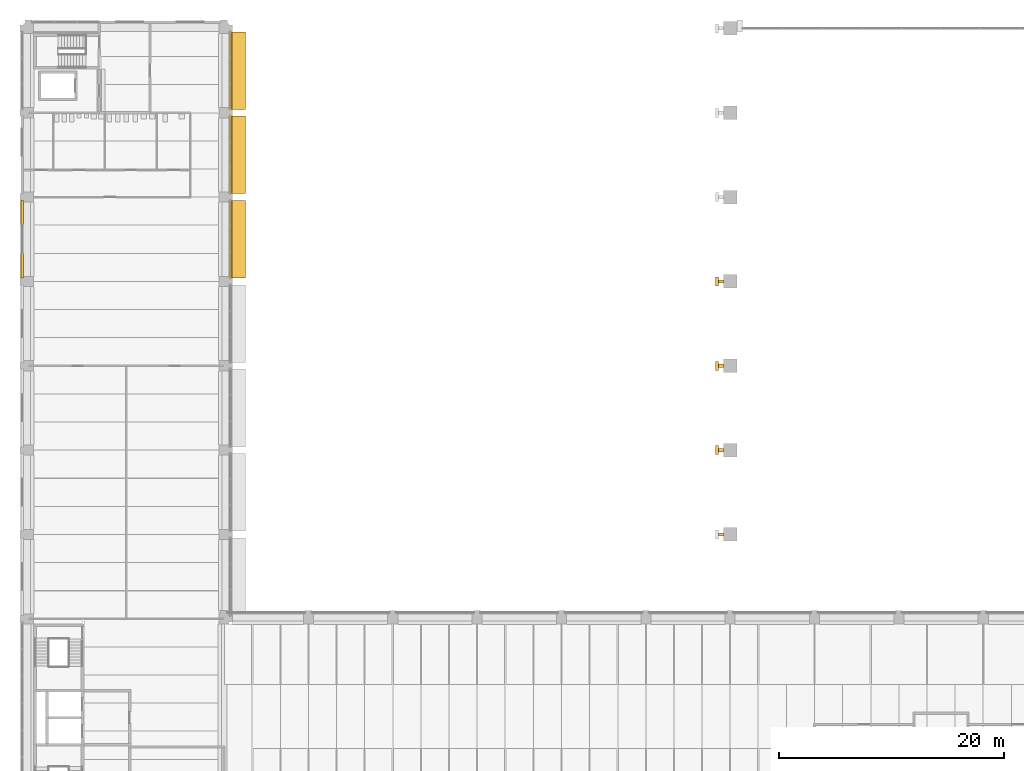
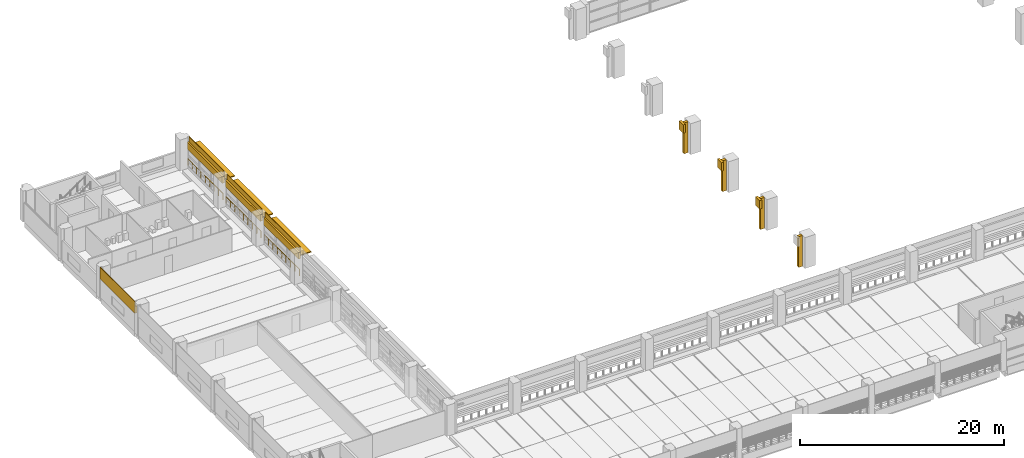
# One storey, part 44 of 57: 11 coverings, 3 railings, 3 shading devices.
"""IFC4 building model written with IfcOpenShell, lengths in metres."""

import ifcopenshell
import ifcopenshell.guid

model = None  # the IFC model being written
_history = None  # IfcOwnerHistory: only IFC2X3 demands one
_inside = {}  # id of a spatial element -> (the spatial element, [elements in it])
_under = {}  # id of a project, library or spatial element -> (it, [spatial elements below it])
_declared = {}  # id of a project -> (the project, [libraries it declares])
_typed = {}  # id of a type object -> (the type object, [elements of that type])
_made_of = {}  # id of a material, layer set ... -> (it, [elements and type objects made of it])


def new_model(schema):
    """Start an empty IFC model of exactly this schema.

    Asked for "IFC4X3", IfcOpenShell would pick the latest addendum, in which some entities
    have other attributes; the version numbers below select the first issue.
    IFC2X3 requires an IfcOwnerHistory on every rooted entity: one is made here for all.
    """
    global model, _history
    if schema == "IFC4X3":
        model = ifcopenshell.file(schema_version=(4, 3, 0, 0))
    else:
        model = ifcopenshell.file(schema=schema)
    _inside.clear()
    _under.clear()
    _declared.clear()
    _typed.clear()
    _made_of.clear()
    _history = None
    if model.schema == "IFC2X3":
        org = make("IfcOrganization", Name="unknown")
        user = make(
            "IfcPersonAndOrganization",
            ThePerson=make("IfcPerson", FamilyName="unknown"),
            TheOrganization=org,
        )
        app = make(
            "IfcApplication",
            ApplicationDeveloper=org,
            Version="unknown",
            ApplicationFullName="unknown",
            ApplicationIdentifier="unknown",
        )
        _history = make(
            "IfcOwnerHistory",
            OwningUser=user,
            OwningApplication=app,
            ChangeAction="ADDED",
            CreationDate=0,
        )
    return model


def make(cls, **values):
    """One entity of the class cls with the attributes given. An attribute that is None is left unset."""
    return model.create_entity(
        cls, **{name: value for name, value in values.items() if value is not None}
    )


def rooted(cls, **values):
    """An entity with a GlobalId (a new one), such as an element, a storey or a relation."""
    return make(cls, GlobalId=ifcopenshell.guid.new(), OwnerHistory=_history, **values)


def si_unit(unit_type, name, prefix=None):
    """IfcSIUnit, for example si_unit("LENGTHUNIT", "METRE", prefix="MILLI")."""
    return make("IfcSIUnit", UnitType=unit_type, Prefix=prefix, Name=name)


def assignment(units):
    """IfcUnitAssignment: the units of a project."""
    return None if units is None else make("IfcUnitAssignment", Units=units)


def point(xyz):
    """IfcCartesianPoint."""
    return None if xyz is None else make("IfcCartesianPoint", Coordinates=xyz)


def direction(xyz):
    """IfcDirection."""
    return None if xyz is None else make("IfcDirection", DirectionRatios=xyz)


def frame(location, z_axis=None, x_axis=None):
    """IfcAxis2Placement3D, a coordinate frame: its origin and axes. An axis left out is left unset."""
    return make(
        "IfcAxis2Placement3D",
        Location=point(location),
        Axis=direction(z_axis),
        RefDirection=direction(x_axis),
    )


def frame_2d(location, x_axis=None):
    """IfcAxis2Placement2D, a coordinate frame in the plane: its origin and x axis."""
    return make(
        "IfcAxis2Placement2D", Location=point(location), RefDirection=direction(x_axis)
    )


def origin():
    """The frame at (0, 0, 0) with its axes left unset."""
    return frame((0.0, 0.0, 0.0))


def origin_2d():
    """The frame at (0, 0) in the plane with its x axis left unset."""
    return frame_2d((0.0, 0.0))


def place(relative_to, where):
    """IfcLocalPlacement: puts the frame where relative to a parent placement (None: the world)."""
    return make(
        "IfcLocalPlacement", PlacementRelTo=relative_to, RelativePlacement=where
    )


def context(
    kind, dimensions, precision=None, world=None, true_north=None, identifier=None
):
    """IfcGeometricRepresentationContext, for example the 3D "Model" context."""
    return make(
        "IfcGeometricRepresentationContext",
        ContextIdentifier=identifier,
        ContextType=kind,
        CoordinateSpaceDimension=dimensions,
        Precision=precision,
        WorldCoordinateSystem=world,
        TrueNorth=true_north,
    )


def subcontext(parent, identifier, kind, view, scale=None):
    """IfcGeometricRepresentationSubContext, for example "Body" below "Model"."""
    return make(
        "IfcGeometricRepresentationSubContext",
        ContextIdentifier=identifier,
        ContextType=kind,
        ParentContext=parent,
        TargetScale=scale,
        TargetView=view,
    )


def project(units=None, contexts=None):
    """IfcProject with its units and contexts."""
    return rooted(
        "IfcProject",
        Name="project",
        RepresentationContexts=contexts,
        UnitsInContext=assignment(units),
    )


def spatial(cls, under=None, at=None, **own):
    """A site, building, storey or space (cls), placed at a placement, below another one or the project."""
    s = rooted(cls, ObjectPlacement=at, **own)
    if under is not None:
        _under.setdefault(under.id(), (under, []))[1].append(s)
    return s


def polyline(points):
    """IfcPolyline through the points."""
    return make("IfcPolyline", Points=[point(p) for p in points])


def profile(cls, at=None, kind="AREA", **sizes):
    """A parametric profile (cls). Its sizes go by their IFC names, for example OverallWidth=200.0."""
    return make(cls, ProfileType=kind, Position=at, **sizes)


def circle(**sizes):
    """IfcCircleProfileDef."""
    return profile("IfcCircleProfileDef", **sizes)


def outline(outer, holes=None, kind="AREA"):
    """IfcArbitraryClosedProfileDef: a profile drawn as a closed curve; with holes, ...WithVoids."""
    if holes is None:
        return make("IfcArbitraryClosedProfileDef", ProfileType=kind, OuterCurve=outer)
    return make(
        "IfcArbitraryProfileDefWithVoids",
        ProfileType=kind,
        OuterCurve=outer,
        InnerCurves=holes,
    )


def extrude(swept, where, along, depth):
    """IfcExtrudedAreaSolid: the profile swept, set in the frame where, extruded along a direction by depth."""
    return make(
        "IfcExtrudedAreaSolid",
        SweptArea=swept,
        Position=where,
        ExtrudedDirection=direction(along),
        Depth=depth,
    )


def shape(context_of_items, identifier, shape_type, items):
    """IfcShapeRepresentation: the items that make up one representation, for example the "Body"."""
    return make(
        "IfcShapeRepresentation",
        ContextOfItems=context_of_items,
        RepresentationIdentifier=identifier,
        RepresentationType=shape_type,
        Items=items,
    )


def material(Name=None, Category=None):
    """IfcMaterial."""
    return make("IfcMaterial", Name=Name, Category=Category)


def layer(
    of_material, thickness, ventilated=None, Name=None, Category=None, Priority=None
):
    """IfcMaterialLayer: one layer of a wall or slab, of a material (None: an air gap)."""
    return make(
        "IfcMaterialLayer",
        Material=of_material,
        LayerThickness=thickness,
        IsVentilated=ventilated,
        Name=Name,
        Category=Category,
        Priority=Priority,
    )


def layer_set(layers, Name=None):
    """IfcMaterialLayerSet."""
    return make("IfcMaterialLayerSet", MaterialLayers=layers, LayerSetName=Name)


def made_of(thing, what):
    """Note that an element or type object is made of a material, layer set ...; save() writes the relation."""
    if what is not None:
        _made_of.setdefault(what.id(), (what, []))[1].append(thing)
    return thing


def type_object(cls, material=None, **own):
    """A type object (cls), such as IfcWallType, which elements share."""
    return made_of(rooted(cls, **own), material)


def element(
    cls,
    number,
    at=None,
    inside=None,
    cuts=None,
    type_object=None,
    material=None,
    context=None,
    identifier="Body",
    shape_type=None,
    held_by="IfcProductDefinitionShape",
    body=None,
    shapes=None,
    **own,
):
    """One element of the class cls, such as IfcWall. Its Tag is "e" and its number.

    at: its placement. inside: the storey or other place that contains it. cuts: it is an
    opening in that element (IfcRelVoidsElement). A single representation is given by context,
    identifier, shape_type and body (its items); several are given by shapes. held_by: the class
    of the entity that holds the representations. save() writes the other relations.
    """
    e = rooted(cls, Tag="e%d" % number, ObjectPlacement=at, **own)
    if body is not None:
        shapes = [shape(context, identifier, shape_type, body)]
    if shapes is not None:
        e.Representation = make(held_by, Representations=shapes)
    if inside is not None:
        _inside.setdefault(inside.id(), (inside, []))[1].append(e)
    if cuts is not None:
        rooted(
            "IfcRelVoidsElement", RelatingBuildingElement=cuts, RelatedOpeningElement=e
        )
    if type_object is not None:
        _typed.setdefault(type_object.id(), (type_object, []))[1].append(e)
    return made_of(e, material)


def aggregate(whole, parts):
    """IfcRelAggregates: a whole, such as a stair, and the parts it consists of."""
    return rooted("IfcRelAggregates", RelatingObject=whole, RelatedObjects=parts)


def save(model, path):
    """Write the relations noted so far, then the file.

    IfcRelAggregates (storeys below a building ...), IfcRelContainedInSpatialStructure (elements
    in a storey), IfcRelDefinesByType, IfcRelAssociatesMaterial and IfcRelDeclares: one each for
    every whole, place, type object, material and project.
    """
    for whole, parts in _under.values():
        aggregate(whole, parts)
    for where, things in _inside.values():
        rooted(
            "IfcRelContainedInSpatialStructure",
            RelatedElements=things,
            RelatingStructure=where,
        )
    for kind, things in _typed.values():
        rooted("IfcRelDefinesByType", RelatedObjects=things, RelatingType=kind)
    for what, things in _made_of.values():
        rooted("IfcRelAssociatesMaterial", RelatedObjects=things, RelatingMaterial=what)
    for by, libraries in _declared.values():
        rooted("IfcRelDeclares", RelatingContext=by, RelatedDefinitions=libraries)
    model.write(path)


model = new_model("IFC4")

# Units and contexts
model_context = context("Model", 3, precision=1e-05, world=origin(), true_north=direction((0.0, 1.0)))
body_context = subcontext(model_context, "Body", "Model", "MODEL_VIEW")
ifc_project = project(units=[si_unit("LENGTHUNIT", "METRE"), si_unit("AREAUNIT", "SQUARE_METRE"), si_unit("VOLUMEUNIT", "CUBIC_METRE"), si_unit("PLANEANGLEUNIT", "RADIAN"), si_unit("MASSUNIT", "GRAM", prefix="KILO")], contexts=[model_context])

# Site, building, storey
site_placement = place(None, origin())
site = spatial("IfcSite", under=ifc_project, at=site_placement, CompositionType="ELEMENT")
building_placement = place(site_placement, origin())
building = spatial("IfcBuilding", under=site, at=building_placement, Name="Cour d'Honneur Mobility Palace", CompositionType="ELEMENT")
storey_placement = place(building_placement, frame((0.0, 0.0, 8.199951171875)))
storey = spatial("IfcBuildingStorey", under=building, at=storey_placement, Name="L02", CompositionType="ELEMENT", Elevation=8.199951171875)

# Railings
ifc_material_1 = material(Name="Painted steel", Category="steel")
railing_type = type_object("IfcRailingType", Name="Balustrade", PredefinedType="BALUSTRADE", material=ifc_material_1)
for number, where, name in (
    (1, (17.949951171875, 92.699951171875, 0.300048828125), "Balustrade BAL-126"),
    (2, (17.949951171875, 100.199951171875, 0.300048828125), "Balustrade BAL-127"),
    (3, (17.949951171875, 107.699951171875, 0.300048828125), "Balustrade BAL-128"),
):
    element("IfcRailing", number, at=place(storey_placement, frame(where)), inside=storey, type_object=railing_type, Name=name, PredefinedType="BALUSTRADE", context=body_context, shape_type="SweptSolid", body=[
        extrude(circle(Radius=0.02392578125, at=origin_2d()), frame((0.0, 0.0, 0.77587890625), z_axis=(0.0, 1.0, 0.0), x_axis=(-1.0, 0.0, 0.0)), (0.0, 0.0, 1.0), 6.900146484375),
        extrude(circle(Radius=0.02099609375, at=origin_2d()), origin(), (0.0, 0.0, 1.0), 0.751953125),
        extrude(circle(Radius=0.02099609375, at=origin_2d()), frame((0.0, 0.862548828125, 0.0)), (0.0, 0.0, 1.0), 0.751953125),
        extrude(circle(Radius=0.02099609375, at=origin_2d()), frame((0.0, 1.72509765625, 0.0)), (0.0, 0.0, 1.0), 0.751953125),
        extrude(circle(Radius=0.02099609375, at=origin_2d()), frame((0.0, 2.587646484375, 0.0)), (0.0, 0.0, 1.0), 0.751953125),
        extrude(circle(Radius=0.02099609375, at=origin_2d()), frame((0.0, 3.4501953125, 0.0)), (0.0, 0.0, 1.0), 0.751953125),
        extrude(circle(Radius=0.02099609375, at=origin_2d()), frame((0.0, 4.3125, 0.0)), (0.0, 0.0, 1.0), 0.751953125),
        extrude(circle(Radius=0.02099609375, at=origin_2d()), frame((0.0, 5.175048828125, 0.0)), (0.0, 0.0, 1.0), 0.751953125),
        extrude(circle(Radius=0.02099609375, at=origin_2d()), frame((0.0, 6.03759765625, 0.0)), (0.0, 0.0, 1.0), 0.751953125),
        extrude(circle(Radius=0.02099609375, at=origin_2d()), frame((0.0, 6.900146484375, 0.0)), (0.0, 0.0, 1.0), 0.751953125),
    ])

# Coverings
ifc_material_2 = material(Name="Cast limestone", Category="masonry")
ifc_layer_1 = layer(ifc_material_2, 0.300048828125)
ifc_layer_set_1 = layer_set([ifc_layer_1], Name="Cast limestone")
covering_type_1 = type_object("IfcCoveringType", Name="Pier fin", PredefinedType="CLADDING", material=ifc_layer_set_1)
covering_1_placement = place(storey_placement, origin())
element("IfcCovering", 4, at=covering_1_placement, inside=storey, type_object=covering_type_1, Name="Pier fin HP-W2 L02", PredefinedType="CLADDING", context=body_context, shape_type="SweptSolid", body=[
    extrude(outline(polyline([(61.35009765625, 69.75), (61.800048828125, 69.75), (61.800048828125, 70.050048828125), (61.35009765625, 70.050048828125), (61.35009765625, 69.75)])), origin(), (0.0, 0.0, 1.0), 3.699951171875),
])
covering_2_placement = place(storey_placement, origin())
element("IfcCovering", 5, at=covering_2_placement, inside=storey, type_object=covering_type_1, Name="Pier fin HP-W3 L02", PredefinedType="CLADDING", context=body_context, shape_type="SweptSolid", body=[
    extrude(outline(polyline([(61.35009765625, 77.25), (61.800048828125, 77.25), (61.800048828125, 77.550048828125), (61.35009765625, 77.550048828125), (61.35009765625, 77.25)])), origin(), (0.0, 0.0, 1.0), 3.699951171875),
])
covering_3_placement = place(storey_placement, origin())
element("IfcCovering", 6, at=covering_3_placement, inside=storey, type_object=covering_type_1, Name="Pier fin HP-W4 L02", PredefinedType="CLADDING", context=body_context, shape_type="SweptSolid", body=[
    extrude(outline(polyline([(61.35009765625, 84.75), (61.800048828125, 84.75), (61.800048828125, 85.050048828125), (61.35009765625, 85.050048828125), (61.35009765625, 84.75)])), origin(), (0.0, 0.0, 1.0), 3.699951171875),
])
covering_4_placement = place(storey_placement, origin())
element("IfcCovering", 7, at=covering_4_placement, inside=storey, type_object=covering_type_1, Name="Pier fin HP-W5 L02", PredefinedType="CLADDING", context=body_context, shape_type="SweptSolid", body=[
    extrude(outline(polyline([(61.35009765625, 92.25), (61.800048828125, 92.25), (61.800048828125, 92.550048828125), (61.35009765625, 92.550048828125), (61.35009765625, 92.25)])), origin(), (0.0, 0.0, 1.0), 3.699951171875),
])
ifc_material_3 = material(Name="Cast limestone", Category="masonry")
ifc_layer_2 = layer(ifc_material_3, 0.1201171875)
ifc_layer_set_2 = layer_set([ifc_layer_2], Name="Cast limestone")
covering_type_2 = type_object("IfcCoveringType", Name="Pilaster capital", PredefinedType="CLADDING", material=ifc_layer_set_2)
covering_5_placement = place(storey_placement, frame((0.0, 0.0, 2.699951171875)))
element("IfcCovering", 8, at=covering_5_placement, inside=storey, type_object=covering_type_2, Name="Hall pilaster capital HP-W3", PredefinedType="CLADDING", context=body_context, shape_type="SweptSolid", body=[
    extrude(outline(polyline([(61.10009765625, 77.0), (61.35009765625, 77.0), (61.35009765625, 77.800048828125), (61.10009765625, 77.800048828125), (61.10009765625, 77.0)])), origin(), (0.0, 0.0, 1.0), 1.0),
])
covering_6_placement = place(storey_placement, frame((0.0, 0.0, 2.699951171875)))
element("IfcCovering", 9, at=covering_6_placement, inside=storey, type_object=covering_type_2, Name="Hall pilaster capital HP-W4", PredefinedType="CLADDING", context=body_context, shape_type="SweptSolid", body=[
    extrude(outline(polyline([(61.10009765625, 84.5), (61.35009765625, 84.5), (61.35009765625, 85.300048828125), (61.10009765625, 85.300048828125), (61.10009765625, 84.5)])), origin(), (0.0, 0.0, 1.0), 1.0),
])
covering_7_placement = place(storey_placement, frame((0.0, 0.0, 2.699951171875)))
element("IfcCovering", 10, at=covering_7_placement, inside=storey, type_object=covering_type_2, Name="Hall pilaster capital HP-W5", PredefinedType="CLADDING", context=body_context, shape_type="SweptSolid", body=[
    extrude(outline(polyline([(61.10009765625, 92.0), (61.35009765625, 92.0), (61.35009765625, 92.800048828125), (61.10009765625, 92.800048828125), (61.10009765625, 92.0)])), origin(), (0.0, 0.0, 1.0), 1.0),
])
ifc_material_4 = material(Name="Cast limestone", Category="masonry")
ifc_layer_3 = layer(ifc_material_4, 0.25)
ifc_layer_set_3 = layer_set([ifc_layer_3], Name="Cast limestone")
covering_type_3 = type_object("IfcCoveringType", Name="Spandrel cladding", PredefinedType="CLADDING", material=ifc_layer_set_3)
for number, where, z_axis, x_axis, name in (
    (11, (17.85009765625, 92.699951171875, 2.300048828125), (0.0, -1.0, 0.0), (1.0, 0.0, 0.0), "Spandrel cladding SK-197"),
    (12, (17.85009765625, 100.199951171875, 2.300048828125), (0.0, -1.0, 0.0), (1.0, 0.0, 0.0), "Spandrel cladding SK-198"),
    (13, (17.85009765625, 107.699951171875, 2.300048828125), (0.0, -1.0, 0.0), (1.0, 0.0, 0.0), "Spandrel cladding SK-199"),
    (14, (-0.449951171875, 99.60009765625, 2.300048828125), (0.0, 1.0, 0.0), (-1.0, 0.0, 0.0), "Spandrel cladding SK-200"),
):
    element("IfcCovering", number, at=place(storey_placement, frame(where, z_axis=z_axis, x_axis=x_axis)), inside=storey, type_object=covering_type_3, Name=name, PredefinedType="CLADDING", context=body_context, shape_type="SweptSolid", body=[
        extrude(outline(polyline([(0.0, 0.0), (0.25, 0.0), (0.25, 1.39990234375), (0.199951171875, 1.39990234375), (0.199951171875, 0.800048828125), (0.0, 0.800048828125), (0.0, 0.0)])), origin(), (0.0, 0.0, -1.0), 6.89990234375),
    ])

# Shading devices
ifc_material_5 = material(Name="Anodised aluminium", Category="aluminium")
ifc_layer_4 = layer(ifc_material_5, 0.1201171875)
ifc_layer_set_4 = layer_set([ifc_layer_4], Name="Anodised aluminium")
shading_device_type = type_object("IfcShadingDeviceType", Name="Sunshade 1200", PredefinedType="AWNING", material=ifc_layer_set_4)
shading_device_1_placement = place(storey_placement, frame((0.0, 0.0, 2.630126953125)))
element("IfcShadingDevice", 15, at=shading_device_1_placement, inside=storey, type_object=shading_device_type, Name="Sunshade E9.4 L02", PredefinedType="AWNING", context=body_context, shape_type="SweptSolid", body=[
    extrude(outline(polyline([(18.10009765625, 92.699951171875), (18.10009765625, 99.60009765625), (19.300048828125, 99.60009765625), (19.300048828125, 92.699951171875), (18.10009765625, 92.699951171875)])), origin(), (0.0, 0.0, 1.0), 0.119873046875),
])
shading_device_2_placement = place(storey_placement, frame((0.0, 0.0, 2.630126953125)))
element("IfcShadingDevice", 16, at=shading_device_2_placement, inside=storey, type_object=shading_device_type, Name="Sunshade E9.5 L02", PredefinedType="AWNING", context=body_context, shape_type="SweptSolid", body=[
    extrude(outline(polyline([(18.10009765625, 100.199951171875), (18.10009765625, 107.10009765625), (19.300048828125, 107.10009765625), (19.300048828125, 100.199951171875), (18.10009765625, 100.199951171875)])), origin(), (0.0, 0.0, 1.0), 0.119873046875),
])
shading_device_3_placement = place(storey_placement, frame((0.0, 0.0, 2.630126953125)))
element("IfcShadingDevice", 17, at=shading_device_3_placement, inside=storey, type_object=shading_device_type, Name="Sunshade E9.6 L02", PredefinedType="AWNING", context=body_context, shape_type="SweptSolid", body=[
    extrude(outline(polyline([(18.10009765625, 107.699951171875), (18.10009765625, 114.60009765625), (19.300048828125, 114.60009765625), (19.300048828125, 107.699951171875), (18.10009765625, 107.699951171875)])), origin(), (0.0, 0.0, 1.0), 0.119873046875),
])

save(model, "model.ifc")
